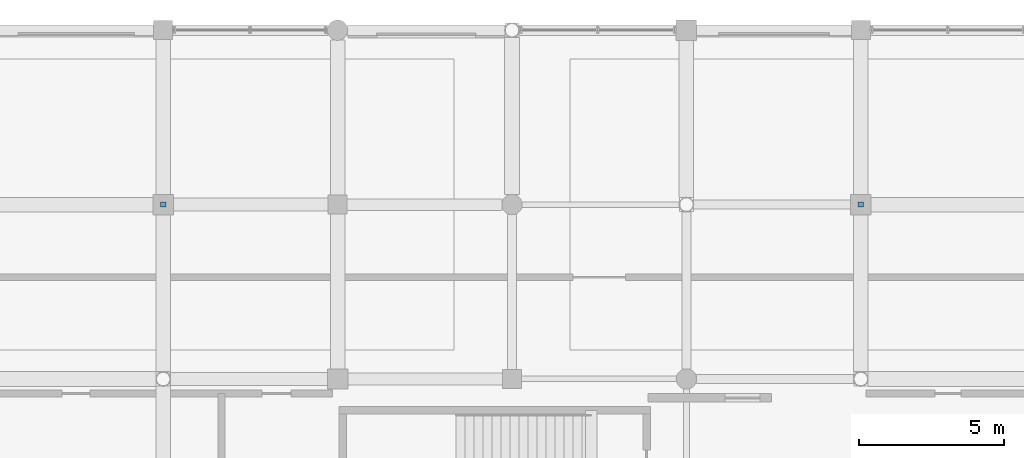
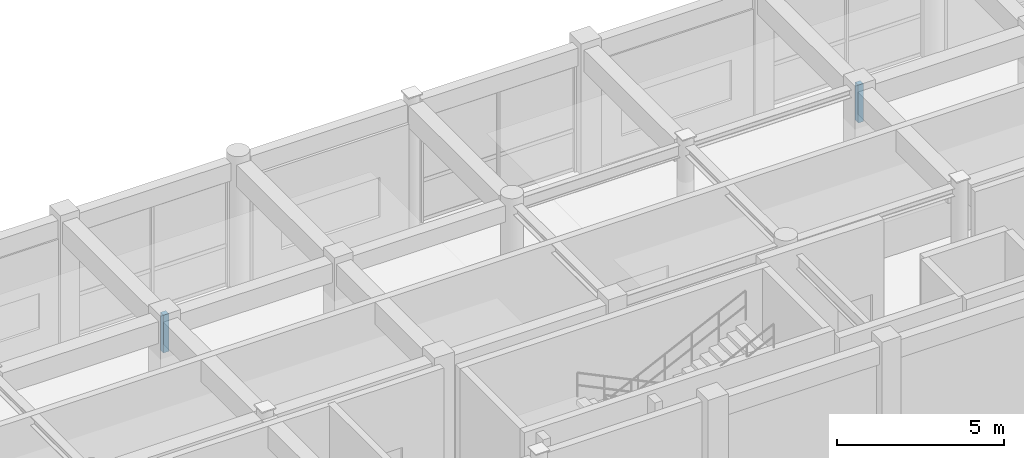
# One storey, part 101 of 112: 2 discrete accessories.
"""IFC4 building model written with IfcOpenShell, lengths in metres."""

from ifc_helpers import new_model, si_unit, direction, frame, origin, origin_2d, place, context, subcontext, project, spatial, rectangle, extrude, material, type_object, element, save


model = new_model("IFC4")

# Units and contexts
model_context = context("Model", 3, precision=1e-05, world=origin(), true_north=direction((0.0, 1.0)))
body_context = subcontext(model_context, "Body", "Model", "MODEL_VIEW")
ifc_project = project(units=[si_unit("LENGTHUNIT", "METRE"), si_unit("AREAUNIT", "SQUARE_METRE"), si_unit("VOLUMEUNIT", "CUBIC_METRE"), si_unit("PLANEANGLEUNIT", "RADIAN"), si_unit("MASSUNIT", "GRAM", prefix="KILO"), si_unit("THERMODYNAMICTEMPERATUREUNIT", "KELVIN"), si_unit("POWERUNIT", "WATT")], contexts=[model_context])

# Site, building, storey
site_placement = place(None, origin())
site = spatial("IfcSite", under=ifc_project, at=site_placement, CompositionType="ELEMENT")
building_placement = place(site_placement, origin())
building = spatial("IfcBuilding", under=site, at=building_placement, Name="Phaisarnlok Congress Hotel", CompositionType="ELEMENT")
storey_placement = place(building_placement, frame((0.0, 0.0, 19.800048828125)))
storey = spatial("IfcBuildingStorey", under=building, at=storey_placement, Name="L04", CompositionType="ELEMENT", Elevation=19.800048828125)

# Discrete accessories
ifc_material = material(Name="Steel S355", Category="steel")
discrete_accessory_type = type_object("IfcDiscreteAccessoryType", Name="ACC-HNG-STL", PredefinedType="BRACKET", material=ifc_material)
for number, where, z_axis, x_axis, name in (
    (1, (96.0, 120.0, 3.205078125), (0.0, 0.0, 1.0), (1.0, 0.0, 0.0), "Acoustic ceiling steel suspension hanger BK-01"),
    (2, (120.0, 120.0, 3.205078125), (0.0, 0.0, 1.0), (1.0, 0.0, 0.0), "Acoustic ceiling steel suspension hanger BK-01"),
):
    element("IfcDiscreteAccessory", number, at=place(storey_placement, frame(where, z_axis=z_axis, x_axis=x_axis)), inside=storey, type_object=discrete_accessory_type, Name=name, PredefinedType="BRACKET", context=body_context, shape_type="SweptSolid", body=[
        extrude(rectangle(XDim=0.179931640625, YDim=0.179931640625, at=origin_2d()), origin(), (0.0, 0.0, 1.0), 1.385009765625),
    ])

save(model, "model.ifc")
